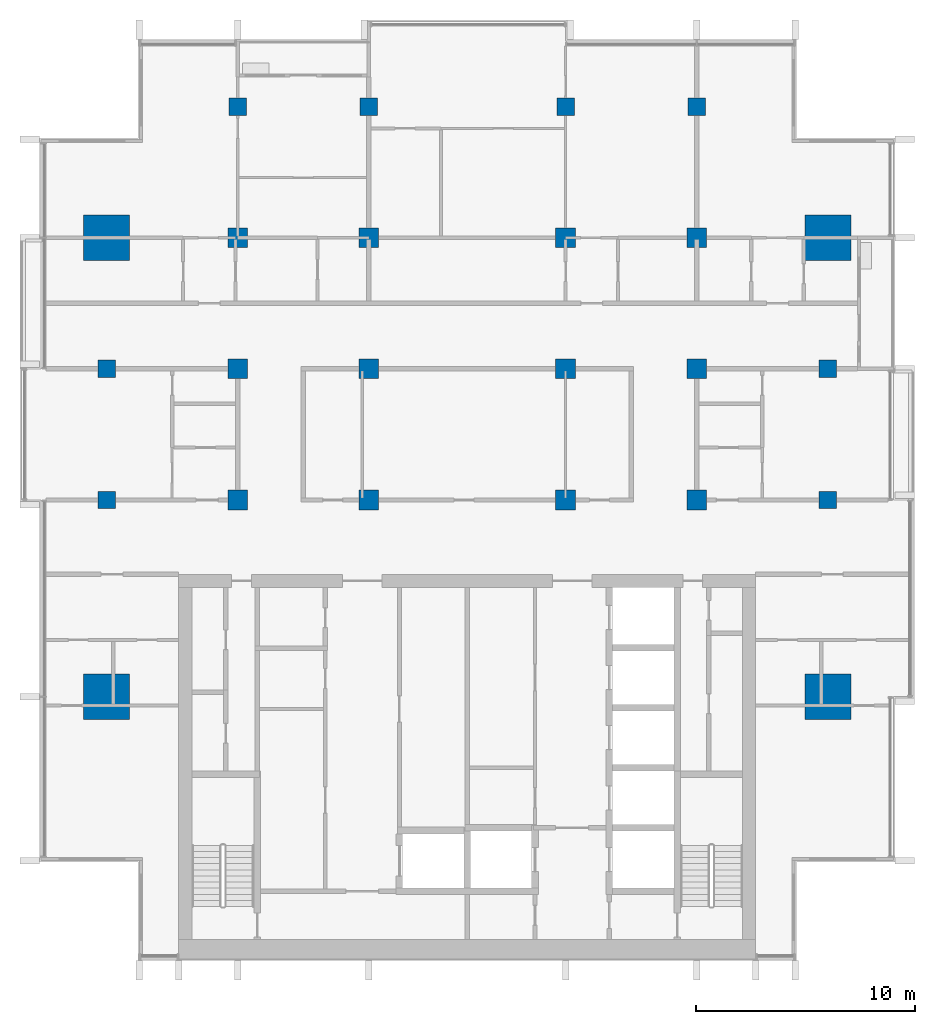
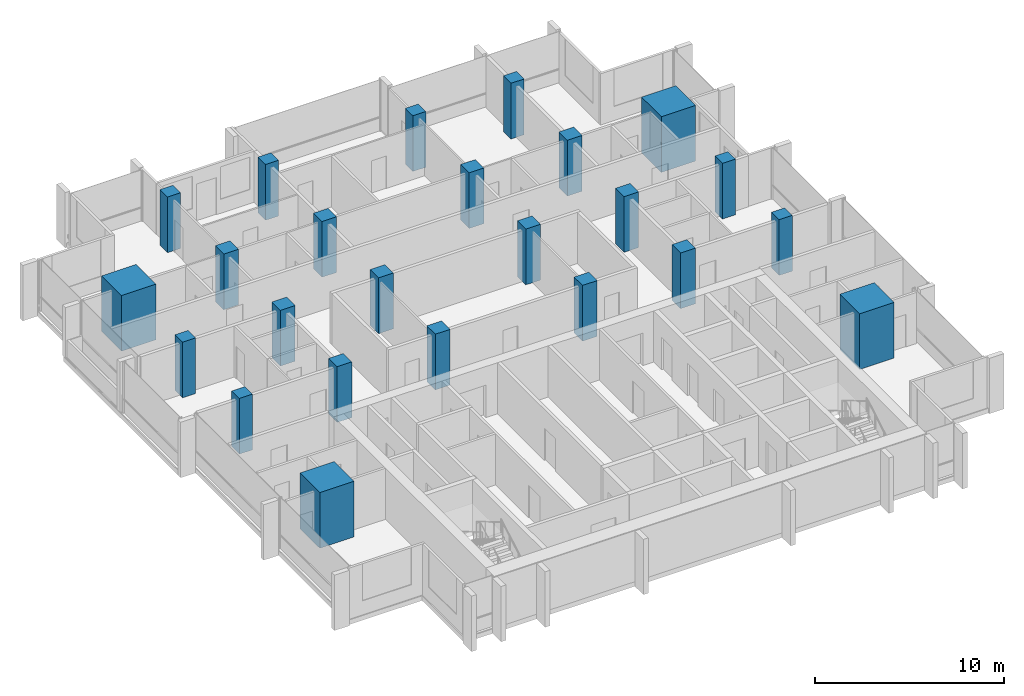
# One storey, part 1 of 16: 24 columns.
"""IFC4 building model written with IfcOpenShell, lengths in metres."""

from ifc_helpers import new_model, si_unit, direction, frame, origin, origin_2d, place, context, subcontext, project, spatial, rectangle, extrude, material, material_profile, profile_set, type_object, element, save


model = new_model("IFC4")

# Units and contexts
model_context = context("Model", 3, precision=1e-05, world=origin(), true_north=direction((0.0, 1.0)))
body_context = subcontext(model_context, "Body", "Model", "MODEL_VIEW")
ifc_project = project(units=[si_unit("LENGTHUNIT", "METRE"), si_unit("AREAUNIT", "SQUARE_METRE"), si_unit("VOLUMEUNIT", "CUBIC_METRE"), si_unit("PLANEANGLEUNIT", "RADIAN"), si_unit("MASSUNIT", "GRAM", prefix="KILO")], contexts=[model_context])

# Site, building, storey
site_placement = place(None, origin())
site = spatial("IfcSite", under=ifc_project, at=site_placement, CompositionType="ELEMENT")
building_placement = place(site_placement, origin())
building = spatial("IfcBuilding", under=site, at=building_placement, Name="Finial Court Residences", CompositionType="ELEMENT")
storey_placement = place(building_placement, frame((0.0, 0.0, 237.5)))
storey = spatial("IfcBuildingStorey", under=building, at=storey_placement, Name="L60", CompositionType="ELEMENT", Elevation=237.5)

# Columns
ifc_material = material(Name="Concrete C50/60", Category="concrete")
ifc_material_profile_1 = material_profile(ifc_material, rectangle(XDim=0.89990234375, YDim=0.89990234375, at=origin_2d()), Name="900x900")
ifc_profile_set_1 = profile_set([ifc_material_profile_1], Name="Concrete C50/60")
column_type_1 = type_object("IfcColumnType", Name="Interior column 900x900 Concrete C50/60", PredefinedType="COLUMN", material=ifc_profile_set_1)
for number, where, z_axis, x_axis, name in (
    (1, (-10.5, -4.5, 0.0), (0.0, 0.0, 1.0), (1.0, 0.0, 0.0), "S:COL:L60:D4"),
    (2, (-10.5, 1.5, 0.0), (0.0, 0.0, 1.0), (1.0, 0.0, 0.0), "S:COL:L60:D5"),
    (3, (-10.5, 7.5, 0.0), (0.0, 0.0, 1.0), (1.0, 0.0, 0.0), "S:COL:L60:D6"),
    (4, (-4.5, -4.5, 0.0), (0.0, 0.0, 1.0), (1.0, 0.0, 0.0), "S:COL:L60:E4"),
    (5, (-4.5, 1.5, 0.0), (0.0, 0.0, 1.0), (1.0, 0.0, 0.0), "S:COL:L60:E5"),
    (6, (-4.5, 7.5, 0.0), (0.0, 0.0, 1.0), (1.0, 0.0, 0.0), "S:COL:L60:E6"),
    (7, (4.5, -4.5, 0.0), (0.0, 0.0, 1.0), (1.0, 0.0, 0.0), "S:COL:L60:F4"),
    (8, (4.5, 1.5, 0.0), (0.0, 0.0, 1.0), (1.0, 0.0, 0.0), "S:COL:L60:F5"),
    (9, (4.5, 7.5, 0.0), (0.0, 0.0, 1.0), (1.0, 0.0, 0.0), "S:COL:L60:F6"),
    (10, (10.5, -4.5, 0.0), (0.0, 0.0, 1.0), (1.0, 0.0, 0.0), "S:COL:L60:G4"),
    (11, (10.5, 1.5, 0.0), (0.0, 0.0, 1.0), (1.0, 0.0, 0.0), "S:COL:L60:G5"),
    (12, (10.5, 7.5, 0.0), (0.0, 0.0, 1.0), (1.0, 0.0, 0.0), "S:COL:L60:G6"),
):
    element("IfcColumn", number, at=place(storey_placement, frame(where, z_axis=z_axis, x_axis=x_axis)), inside=storey, type_object=column_type_1, Name=name, PredefinedType="COLUMN", context=body_context, shape_type="SweptSolid", body=[
        extrude(rectangle(XDim=0.89990234375, YDim=0.89990234375, at=origin_2d()), origin(), (0.0, 0.0, 1.0), 3.60009765625),
    ])
ifc_material_profile_2 = material_profile(ifc_material, rectangle(XDim=2.10009765625, YDim=2.10009765625, at=origin_2d()), Name="2100x2100")
ifc_profile_set_2 = profile_set([ifc_material_profile_2], Name="Concrete C50/60")
column_type_2 = type_object("IfcColumnType", Name="Mega column 2100x2100 Concrete C50/60", PredefinedType="COLUMN", material=ifc_profile_set_2)
for number, where, z_axis, x_axis, name in (
    (13, (-16.5, -13.5, 0.0), (0.0, 0.0, 1.0), (1.0, 0.0, 0.0), "S:COL:L60:C3"),
    (14, (-16.5, 7.5, 0.0), (0.0, 0.0, 1.0), (1.0, 0.0, 0.0), "S:COL:L60:C6"),
    (15, (16.5, -13.5, 0.0), (0.0, 0.0, 1.0), (1.0, 0.0, 0.0), "S:COL:L60:H3"),
    (16, (16.5, 7.5, 0.0), (0.0, 0.0, 1.0), (1.0, 0.0, 0.0), "S:COL:L60:H6"),
):
    element("IfcColumn", number, at=place(storey_placement, frame(where, z_axis=z_axis, x_axis=x_axis)), inside=storey, type_object=column_type_2, Name=name, PredefinedType="COLUMN", context=body_context, shape_type="SweptSolid", body=[
        extrude(rectangle(XDim=2.10009765625, YDim=2.10009765625, at=origin_2d()), origin(), (0.0, 0.0, 1.0), 3.60009765625),
    ])
ifc_material_profile_3 = material_profile(ifc_material, rectangle(XDim=0.800048828125, YDim=0.800048828125, at=origin_2d()), Name="800x800")
ifc_profile_set_3 = profile_set([ifc_material_profile_3], Name="Concrete C50/60")
column_type_3 = type_object("IfcColumnType", Name="Perimeter column 800x800 Concrete C50/60", PredefinedType="COLUMN", material=ifc_profile_set_3)
for number, where, z_axis, x_axis, name in (
    (17, (-16.5, -4.5, 0.0), (0.0, 0.0, 1.0), (1.0, 0.0, 0.0), "S:COL:L60:C4"),
    (18, (-16.5, 1.5, 0.0), (0.0, 0.0, 1.0), (1.0, 0.0, 0.0), "S:COL:L60:C5"),
    (19, (-10.5, 13.5, 0.0), (0.0, 0.0, 1.0), (1.0, 0.0, 0.0), "S:COL:L60:D7"),
    (20, (-4.5, 13.5, 0.0), (0.0, 0.0, 1.0), (1.0, 0.0, 0.0), "S:COL:L60:E7"),
    (21, (4.5, 13.5, 0.0), (0.0, 0.0, 1.0), (1.0, 0.0, 0.0), "S:COL:L60:F7"),
    (22, (10.5, 13.5, 0.0), (0.0, 0.0, 1.0), (1.0, 0.0, 0.0), "S:COL:L60:G7"),
    (23, (16.5, -4.5, 0.0), (0.0, 0.0, 1.0), (1.0, 0.0, 0.0), "S:COL:L60:H4"),
    (24, (16.5, 1.5, 0.0), (0.0, 0.0, 1.0), (1.0, 0.0, 0.0), "S:COL:L60:H5"),
):
    element("IfcColumn", number, at=place(storey_placement, frame(where, z_axis=z_axis, x_axis=x_axis)), inside=storey, type_object=column_type_3, Name=name, PredefinedType="COLUMN", context=body_context, shape_type="SweptSolid", body=[
        extrude(rectangle(XDim=0.800048828125, YDim=0.800048828125, at=origin_2d()), origin(), (0.0, 0.0, 1.0), 3.60009765625),
    ])

save(model, "model.ifc")
